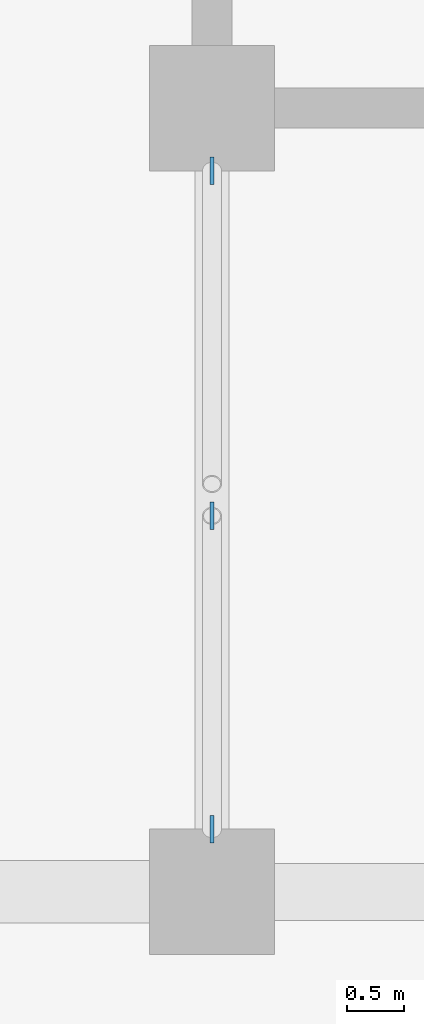
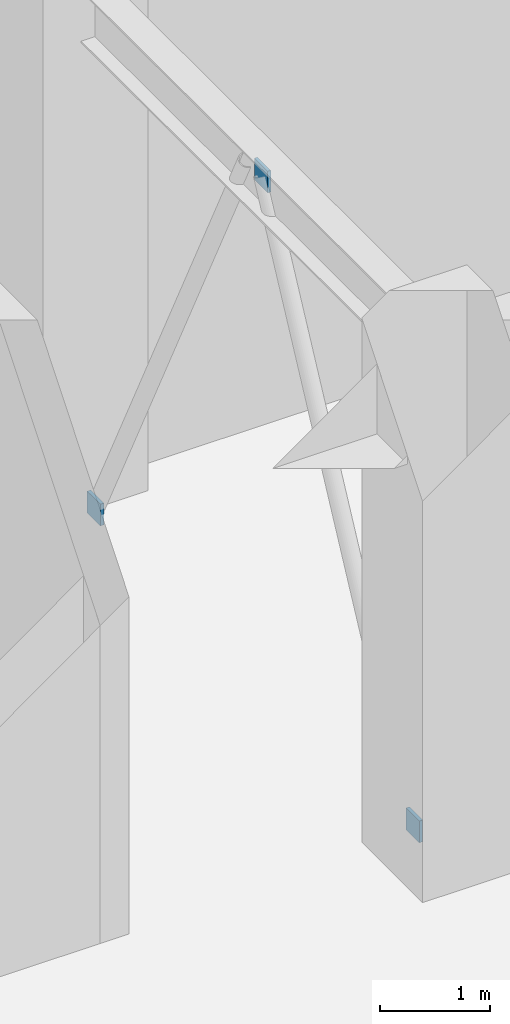
# One storey, part 33 of 73: 3 plates.
"""IFC4 building model written with IfcOpenShell, lengths in metres."""

import ifcopenshell
import ifcopenshell.guid

model = None  # the IFC model being written
_history = None  # IfcOwnerHistory: only IFC2X3 demands one
_inside = {}  # id of a spatial element -> (the spatial element, [elements in it])
_under = {}  # id of a project, library or spatial element -> (it, [spatial elements below it])
_declared = {}  # id of a project -> (the project, [libraries it declares])
_typed = {}  # id of a type object -> (the type object, [elements of that type])
_made_of = {}  # id of a material, layer set ... -> (it, [elements and type objects made of it])


def new_model(schema):
    """Start an empty IFC model of exactly this schema.

    Asked for "IFC4X3", IfcOpenShell would pick the latest addendum, in which some entities
    have other attributes; the version numbers below select the first issue.
    IFC2X3 requires an IfcOwnerHistory on every rooted entity: one is made here for all.
    """
    global model, _history
    if schema == "IFC4X3":
        model = ifcopenshell.file(schema_version=(4, 3, 0, 0))
    else:
        model = ifcopenshell.file(schema=schema)
    _inside.clear()
    _under.clear()
    _declared.clear()
    _typed.clear()
    _made_of.clear()
    _history = None
    if model.schema == "IFC2X3":
        org = make("IfcOrganization", Name="unknown")
        user = make(
            "IfcPersonAndOrganization",
            ThePerson=make("IfcPerson", FamilyName="unknown"),
            TheOrganization=org,
        )
        app = make(
            "IfcApplication",
            ApplicationDeveloper=org,
            Version="unknown",
            ApplicationFullName="unknown",
            ApplicationIdentifier="unknown",
        )
        _history = make(
            "IfcOwnerHistory",
            OwningUser=user,
            OwningApplication=app,
            ChangeAction="ADDED",
            CreationDate=0,
        )
    return model


def make(cls, **values):
    """One entity of the class cls with the attributes given. An attribute that is None is left unset."""
    return model.create_entity(
        cls, **{name: value for name, value in values.items() if value is not None}
    )


def rooted(cls, **values):
    """An entity with a GlobalId (a new one), such as an element, a storey or a relation."""
    return make(cls, GlobalId=ifcopenshell.guid.new(), OwnerHistory=_history, **values)


def si_unit(unit_type, name, prefix=None):
    """IfcSIUnit, for example si_unit("LENGTHUNIT", "METRE", prefix="MILLI")."""
    return make("IfcSIUnit", UnitType=unit_type, Prefix=prefix, Name=name)


def assignment(units):
    """IfcUnitAssignment: the units of a project."""
    return None if units is None else make("IfcUnitAssignment", Units=units)


def point(xyz):
    """IfcCartesianPoint."""
    return None if xyz is None else make("IfcCartesianPoint", Coordinates=xyz)


def direction(xyz):
    """IfcDirection."""
    return None if xyz is None else make("IfcDirection", DirectionRatios=xyz)


def frame(location, z_axis=None, x_axis=None):
    """IfcAxis2Placement3D, a coordinate frame: its origin and axes. An axis left out is left unset."""
    return make(
        "IfcAxis2Placement3D",
        Location=point(location),
        Axis=direction(z_axis),
        RefDirection=direction(x_axis),
    )


def frame_2d(location, x_axis=None):
    """IfcAxis2Placement2D, a coordinate frame in the plane: its origin and x axis."""
    return make(
        "IfcAxis2Placement2D", Location=point(location), RefDirection=direction(x_axis)
    )


def origin():
    """The frame at (0, 0, 0) with its axes left unset."""
    return frame((0.0, 0.0, 0.0))


def origin_2d():
    """The frame at (0, 0) in the plane with its x axis left unset."""
    return frame_2d((0.0, 0.0))


def place(relative_to, where):
    """IfcLocalPlacement: puts the frame where relative to a parent placement (None: the world)."""
    return make(
        "IfcLocalPlacement", PlacementRelTo=relative_to, RelativePlacement=where
    )


def context(
    kind, dimensions, precision=None, world=None, true_north=None, identifier=None
):
    """IfcGeometricRepresentationContext, for example the 3D "Model" context."""
    return make(
        "IfcGeometricRepresentationContext",
        ContextIdentifier=identifier,
        ContextType=kind,
        CoordinateSpaceDimension=dimensions,
        Precision=precision,
        WorldCoordinateSystem=world,
        TrueNorth=true_north,
    )


def subcontext(parent, identifier, kind, view, scale=None):
    """IfcGeometricRepresentationSubContext, for example "Body" below "Model"."""
    return make(
        "IfcGeometricRepresentationSubContext",
        ContextIdentifier=identifier,
        ContextType=kind,
        ParentContext=parent,
        TargetScale=scale,
        TargetView=view,
    )


def project(units=None, contexts=None):
    """IfcProject with its units and contexts."""
    return rooted(
        "IfcProject",
        Name="project",
        RepresentationContexts=contexts,
        UnitsInContext=assignment(units),
    )


def spatial(cls, under=None, at=None, **own):
    """A site, building, storey or space (cls), placed at a placement, below another one or the project."""
    s = rooted(cls, ObjectPlacement=at, **own)
    if under is not None:
        _under.setdefault(under.id(), (under, []))[1].append(s)
    return s


def profile(cls, at=None, kind="AREA", **sizes):
    """A parametric profile (cls). Its sizes go by their IFC names, for example OverallWidth=200.0."""
    return make(cls, ProfileType=kind, Position=at, **sizes)


def rectangle(**sizes):
    """IfcRectangleProfileDef."""
    return profile("IfcRectangleProfileDef", **sizes)


def extrude(swept, where, along, depth):
    """IfcExtrudedAreaSolid: the profile swept, set in the frame where, extruded along a direction by depth."""
    return make(
        "IfcExtrudedAreaSolid",
        SweptArea=swept,
        Position=where,
        ExtrudedDirection=direction(along),
        Depth=depth,
    )


def shape(context_of_items, identifier, shape_type, items):
    """IfcShapeRepresentation: the items that make up one representation, for example the "Body"."""
    return make(
        "IfcShapeRepresentation",
        ContextOfItems=context_of_items,
        RepresentationIdentifier=identifier,
        RepresentationType=shape_type,
        Items=items,
    )


def material(Name=None, Category=None):
    """IfcMaterial."""
    return make("IfcMaterial", Name=Name, Category=Category)


def layer(
    of_material, thickness, ventilated=None, Name=None, Category=None, Priority=None
):
    """IfcMaterialLayer: one layer of a wall or slab, of a material (None: an air gap)."""
    return make(
        "IfcMaterialLayer",
        Material=of_material,
        LayerThickness=thickness,
        IsVentilated=ventilated,
        Name=Name,
        Category=Category,
        Priority=Priority,
    )


def layer_set(layers, Name=None):
    """IfcMaterialLayerSet."""
    return make("IfcMaterialLayerSet", MaterialLayers=layers, LayerSetName=Name)


def made_of(thing, what):
    """Note that an element or type object is made of a material, layer set ...; save() writes the relation."""
    if what is not None:
        _made_of.setdefault(what.id(), (what, []))[1].append(thing)
    return thing


def type_object(cls, material=None, **own):
    """A type object (cls), such as IfcWallType, which elements share."""
    return made_of(rooted(cls, **own), material)


def element(
    cls,
    number,
    at=None,
    inside=None,
    cuts=None,
    type_object=None,
    material=None,
    context=None,
    identifier="Body",
    shape_type=None,
    held_by="IfcProductDefinitionShape",
    body=None,
    shapes=None,
    **own,
):
    """One element of the class cls, such as IfcWall. Its Tag is "e" and its number.

    at: its placement. inside: the storey or other place that contains it. cuts: it is an
    opening in that element (IfcRelVoidsElement). A single representation is given by context,
    identifier, shape_type and body (its items); several are given by shapes. held_by: the class
    of the entity that holds the representations. save() writes the other relations.
    """
    e = rooted(cls, Tag="e%d" % number, ObjectPlacement=at, **own)
    if body is not None:
        shapes = [shape(context, identifier, shape_type, body)]
    if shapes is not None:
        e.Representation = make(held_by, Representations=shapes)
    if inside is not None:
        _inside.setdefault(inside.id(), (inside, []))[1].append(e)
    if cuts is not None:
        rooted(
            "IfcRelVoidsElement", RelatingBuildingElement=cuts, RelatedOpeningElement=e
        )
    if type_object is not None:
        _typed.setdefault(type_object.id(), (type_object, []))[1].append(e)
    return made_of(e, material)


def aggregate(whole, parts):
    """IfcRelAggregates: a whole, such as a stair, and the parts it consists of."""
    return rooted("IfcRelAggregates", RelatingObject=whole, RelatedObjects=parts)


def save(model, path):
    """Write the relations noted so far, then the file.

    IfcRelAggregates (storeys below a building ...), IfcRelContainedInSpatialStructure (elements
    in a storey), IfcRelDefinesByType, IfcRelAssociatesMaterial and IfcRelDeclares: one each for
    every whole, place, type object, material and project.
    """
    for whole, parts in _under.values():
        aggregate(whole, parts)
    for where, things in _inside.values():
        rooted(
            "IfcRelContainedInSpatialStructure",
            RelatedElements=things,
            RelatingStructure=where,
        )
    for kind, things in _typed.values():
        rooted("IfcRelDefinesByType", RelatedObjects=things, RelatingType=kind)
    for what, things in _made_of.values():
        rooted("IfcRelAssociatesMaterial", RelatedObjects=things, RelatingMaterial=what)
    for by, libraries in _declared.values():
        rooted("IfcRelDeclares", RelatingContext=by, RelatedDefinitions=libraries)
    model.write(path)


model = new_model("IFC4")

# Units and contexts
model_context = context("Model", 3, precision=1e-05, world=origin(), true_north=direction((0.0, 1.0)))
body_context = subcontext(model_context, "Body", "Model", "MODEL_VIEW")
ifc_project = project(units=[si_unit("LENGTHUNIT", "METRE"), si_unit("AREAUNIT", "SQUARE_METRE"), si_unit("VOLUMEUNIT", "CUBIC_METRE"), si_unit("PLANEANGLEUNIT", "RADIAN"), si_unit("MASSUNIT", "GRAM", prefix="KILO")], contexts=[model_context])

# Site, building, storey
site_placement = place(None, origin())
site = spatial("IfcSite", under=ifc_project, at=site_placement, CompositionType="ELEMENT")
building_placement = place(site_placement, origin())
building = spatial("IfcBuilding", under=site, at=building_placement, Name="Linyun Crest Stadium", CompositionType="ELEMENT")
storey_placement = place(building_placement, origin())
storey = spatial("IfcBuildingStorey", under=building, at=storey_placement, Name="L01", CompositionType="ELEMENT", Elevation=0.0)

# Plates
ifc_material_1 = material(Name="Steel Q420C", Category="steel")
ifc_layer_1 = layer(ifc_material_1, 0.031982421875)
ifc_layer_set_1 = layer_set([ifc_layer_1], Name="Steel Q420C")
plate_type_1 = type_object("IfcPlateType", Name="EP04", PredefinedType="USERDEFINED", material=ifc_layer_set_1)
plate_placement = place(storey_placement, frame((-84.0, -42.701904296875, 5.39501953125), z_axis=(0.0, 0.0, 1.0), x_axis=(0.0, 1.0, 0.0)))
element("IfcPlate", 1, at=plate_placement, inside=storey, type_object=plate_type_1, Name="Hollow section cap end plate EP04 460", ObjectType="END PLATE", PredefinedType="USERDEFINED", context=body_context, shape_type="SweptSolid", body=[
    extrude(rectangle(XDim=0.239990234375, YDim=0.031982421875, at=origin_2d()), origin(), (0.0, 0.0, 1.0), 0.239990234375),
])
ifc_material_2 = material(Name="Steel Q420C", Category="steel")
ifc_layer_2 = layer(ifc_material_2, 0.035888671875)
ifc_layer_set_2 = layer_set([ifc_layer_2], Name="Steel Q420C")
plate_type_2 = type_object("IfcPlateType", Name="NP04", PredefinedType="USERDEFINED", material=ifc_layer_set_2)
for number, where, z_axis, x_axis, name in (
    (2, (-84.0, -45.449951171875, -0.1201171875), (0.0, 0.0, 1.0), (0.0, 1.0, 0.0), "Hollow section cap end plate NP04 459"),
    (3, (-84.0, -39.675048828125, -0.1201171875), (0.0, 0.0, 1.0), (0.0, 1.0, 0.0), "Hollow section cap end plate NP04 461"),
):
    element("IfcPlate", number, at=place(storey_placement, frame(where, z_axis=z_axis, x_axis=x_axis)), inside=storey, type_object=plate_type_2, Name=name, ObjectType="GUSSET PLATE", PredefinedType="USERDEFINED", context=body_context, shape_type="SweptSolid", body=[
        extrude(rectangle(XDim=0.239990234375, YDim=0.035888671875, at=origin_2d()), origin(), (0.0, 0.0, 1.0), 0.239990234375),
    ])

save(model, "model.ifc")
